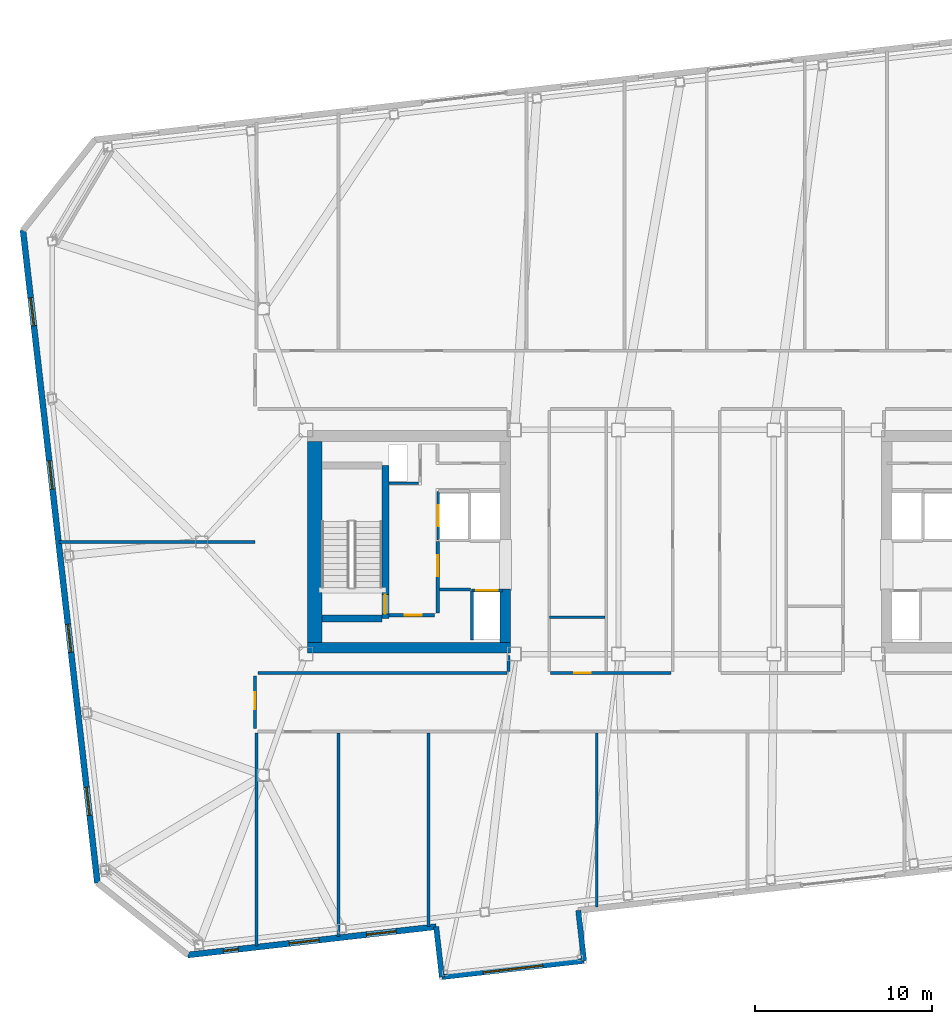
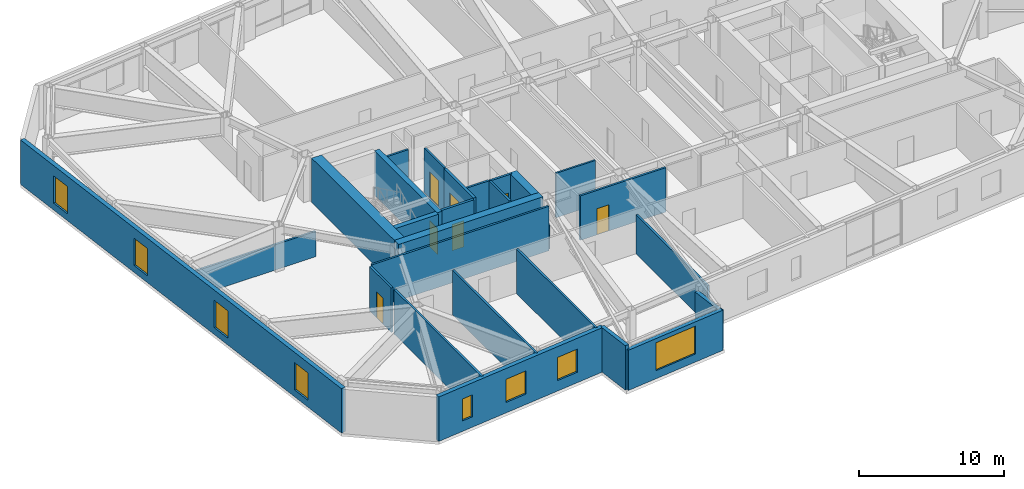
# One storey, part 11 of 18: 27 walls, 8 windows, 7 doors, 15 openings.
"""IFC4 building model written with IfcOpenShell, lengths in metres."""

from ifc_helpers import new_model, si_unit, direction, frame, frame_2d, origin, place, context, subcontext, project, spatial, rectangle, extrude, material, layer, layer_set, type_object, element, fill, save


model = new_model("IFC4")

# Units and contexts
model_context = context("Model", 3, precision=1e-05, world=origin(), true_north=direction((0.0, 1.0)))
body_context = subcontext(model_context, "Body", "Model", "MODEL_VIEW")
ifc_project = project(units=[si_unit("LENGTHUNIT", "METRE"), si_unit("AREAUNIT", "SQUARE_METRE"), si_unit("VOLUMEUNIT", "CUBIC_METRE"), si_unit("PLANEANGLEUNIT", "RADIAN"), si_unit("MASSUNIT", "GRAM", prefix="KILO")], contexts=[model_context])

# Site, building, storey
site_placement = place(None, origin())
site = spatial("IfcSite", under=ifc_project, at=site_placement, CompositionType="ELEMENT")
building_placement = place(site_placement, origin())
building = spatial("IfcBuilding", under=site, at=building_placement, Name="Tavrogorsk Clinical Tower", CompositionType="ELEMENT")
storey_placement = place(building_placement, frame((0.0, 0.0, 226.199951171875)))
storey = spatial("IfcBuildingStorey", under=building, at=storey_placement, Name="L52", CompositionType="ELEMENT", Elevation=226.199951171875)

# Wall, opening, door
ifc_material_1 = material(Name="Concrete B60", Category="concrete")
ifc_layer_1 = layer(ifc_material_1, 0.199951171875)
ifc_layer_set_1 = layer_set([ifc_layer_1], Name="Concrete B60")
wall_type_1 = type_object("IfcWallType", Name="CoreFireWall_200", PredefinedType="SOLIDWALL", material=ifc_layer_set_1)
wall_1_placement = place(storey_placement, frame((-17.3798828125, -4.139892578125, 0.0), z_axis=(0.0, 0.0, 1.0), x_axis=(1.0, 0.0, 0.0)))
wall_1 = element("IfcWall", 1, at=wall_1_placement, inside=storey, type_object=wall_type_1, Name="L52 Core West South Core Room Fire Wall", PredefinedType="SOLIDWALL", context=body_context, shape_type="SweptSolid", body=[
    extrude(rectangle(XDim=2.554931640625, YDim=0.199951171875, at=frame_2d((1.27734375, 0.0))), origin(), (0.0, 0.0, 1.0), 3.739990234375),
])
opening_1_placement = place(wall_1_placement, frame((0.8798828125, 0.0, 0.0)))
opening_1 = element("IfcOpeningElement", 2, at=opening_1_placement, cuts=wall_1, Name="Opening ID-02", PredefinedType="OPENING", context=body_context, shape_type="SweptSolid", body=[
    extrude(rectangle(XDim=0.949951171875, YDim=2.199951171875, at=frame_2d((0.47509765625, 1.10009765625))), frame((0.0, 0.10986328125, 0.0), z_axis=(0.0, -1.0, 0.0), x_axis=(1.0, 0.0, 0.0)), (0.0, 0.0, 1.0), 0.219970703125),
])
ifc_material_2 = material(Name="Laminated timber leaf on aluminium frame", Category="wood")
door_type_1 = type_object("IfcDoorType", Name="InteriorDoor_ID02_950", OperationType="NOTDEFINED", PredefinedType="DOOR", material=ifc_material_2)
door_1_placement = place(opening_1_placement, origin())
door_1 = element("IfcDoor", 3, at=door_1_placement, inside=storey, type_object=door_type_1, Name="L52 Core West South Core Room Door", OperationType="SINGLE_SWING_RIGHT", OverallHeight=2.199951171875, OverallWidth=0.949951171875, PredefinedType="DOOR", context=body_context, shape_type="SweptSolid", body=[
    extrude(rectangle(XDim=0.949951171875, YDim=2.199951171875, at=frame_2d((0.47509765625, 1.10009765625))), frame((0.0, 0.02490234375, 0.0), z_axis=(0.0, -1.0, 0.0), x_axis=(1.0, 0.0, 0.0)), (0.0, 0.0, 1.0), 0.050048828125),
])
fill(opening_1, door_1)

wall_2_placement = place(storey_placement, frame((-14.639892578125, -4.034912109375, 0.0), z_axis=(0.0, 0.0, 1.0), x_axis=(0.0, 1.0, 0.0)))
wall_2 = element("IfcWall", 4, at=wall_2_placement, inside=storey, type_object=wall_type_1, Name="L52 Core West Firefighting Lobby Fire Wall", PredefinedType="SOLIDWALL", context=body_context, shape_type="SweptSolid", body=[
    extrude(rectangle(XDim=4.074951171875, YDim=0.199951171875, at=frame_2d((2.03759765625, 0.0))), origin(), (0.0, 0.0, 1.0), 3.739990234375),
])
opening_2_placement = place(wall_2_placement, frame((2.090087890625, 0.0, 0.0)))
opening_2 = element("IfcOpeningElement", 5, at=opening_2_placement, cuts=wall_2, Name="Opening FD-01", PredefinedType="OPENING", context=body_context, shape_type="SweptSolid", body=[
    extrude(rectangle(XDim=1.199951171875, YDim=2.199951171875, at=frame_2d((0.60009765625, 1.10009765625))), frame((0.0, 0.10986328125, 0.0), z_axis=(0.0, -1.0, 0.0), x_axis=(1.0, 0.0, 0.0)), (0.0, 0.0, 1.0), 0.219970703125),
])
ifc_material_3 = material(Name="Galvanised steel fire-rated door assembly", Category="steel")
door_type_2 = type_object("IfcDoorType", Name="FireDoor_FD01_1200", OperationType="NOTDEFINED", PredefinedType="DOOR", material=ifc_material_3)
door_2_placement = place(opening_2_placement, origin())
door_2 = element("IfcDoor", 6, at=door_2_placement, inside=storey, type_object=door_type_2, Name="L52 Core West Firefighting Lobby Entry Door", OperationType="SINGLE_SWING_RIGHT", OverallHeight=2.199951171875, OverallWidth=1.199951171875, PredefinedType="DOOR", context=body_context, shape_type="SweptSolid", body=[
    extrude(rectangle(XDim=1.199951171875, YDim=2.199951171875, at=frame_2d((0.60009765625, 1.10009765625))), frame((0.0, 0.02490234375, 0.0), z_axis=(0.0, -1.0, 0.0), x_axis=(1.0, 0.0, 0.0)), (0.0, 0.0, 1.0), 0.050048828125),
])
fill(opening_2, door_2)

# Walls
ifc_material_4 = material(Name="Lightweight concrete blockwork B15", Category="masonry")
ifc_layer_2 = layer(ifc_material_4, 0.139892578125)
ifc_layer_set_2 = layer_set([ifc_layer_2], Name="Lightweight concrete blockwork B15")
wall_type_2 = type_object("IfcWallType", Name="PartitionWall_140", PredefinedType="PARTITIONING", material=ifc_layer_set_2)
wall_3_placement = place(storey_placement, frame((-8.31494140625, -4.25, 0.0), z_axis=(0.0, 0.0, 1.0), x_axis=(1.0, 0.0, 0.0)))
element("IfcWall", 7, at=wall_3_placement, inside=storey, type_object=wall_type_2, Name="L52 Central Spine Partition 3", PredefinedType="PARTITIONING", context=body_context, shape_type="SweptSolid", body=[
    extrude(rectangle(XDim=3.139892578125, YDim=0.139892578125, at=frame_2d((1.56982421875, 0.0))), origin(), (0.0, 0.0, 1.0), 3.739990234375),
])
ifc_material_5 = material(Name="Lightweight concrete blockwork B15", Category="masonry")
ifc_layer_3 = layer(ifc_material_5, 0.159912109375)
ifc_layer_set_3 = layer_set([ifc_layer_3], Name="Lightweight concrete blockwork B15")
wall_type_3 = type_object("IfcWallType", Name="PartitionWall_160", PredefinedType="PARTITIONING", material=ifc_layer_set_3)
wall_4_placement = place(storey_placement, frame((-14.534912109375, -2.699951171875, 0.0), z_axis=(0.0, 0.0, 1.0), x_axis=(1.0, 0.0, 0.0)))
element("IfcWall", 8, at=wall_4_placement, inside=storey, type_object=wall_type_3, Name="L52 Core West Freed Low-Bank North Partition", PredefinedType="PARTITIONING", context=body_context, shape_type="SweptSolid", body=[
    extrude(rectangle(XDim=1.760009765625, YDim=0.159912109375, at=frame_2d((0.8798828125, 0.0))), origin(), (0.0, 0.0, 1.0), 3.739990234375),
])

# Wall, opening, door
wall_5_placement = place(storey_placement, frame((-24.97998046875, -10.56494140625, 0.0), z_axis=(0.0, 0.0, 1.0), x_axis=(0.0, 1.0, 0.0)))
wall_5 = element("IfcWall", 9, at=wall_5_placement, inside=storey, type_object=wall_type_3, Name="L52 Corridor Partition 01", PredefinedType="PARTITIONING", context=body_context, shape_type="SweptSolid", body=[
    extrude(rectangle(XDim=2.97998046875, YDim=0.159912109375, at=frame_2d((1.489990234375, 0.0))), origin(), (0.0, 0.0, 1.0), 3.739990234375),
])
opening_3_placement = place(wall_5_placement, frame((1.10009765625, 0.0, 0.0)))
opening_3 = element("IfcOpeningElement", 10, at=opening_3_placement, cuts=wall_5, Name="Opening ID-02", PredefinedType="OPENING", context=body_context, shape_type="SweptSolid", body=[
    extrude(rectangle(XDim=0.949951171875, YDim=2.199951171875, at=frame_2d((0.47509765625, 1.10009765625))), frame((0.0, 0.08984375, 0.0), z_axis=(0.0, -1.0, 0.0), x_axis=(1.0, 0.0, 0.0)), (0.0, 0.0, 1.0), 0.179931640625),
])
door_3_placement = place(opening_3_placement, origin())
door_3 = element("IfcDoor", 11, at=door_3_placement, inside=storey, type_object=door_type_1, Name="L52 W Solarium Day Room & Lounge 1 Door", OperationType="SINGLE_SWING_LEFT", OverallHeight=2.199951171875, OverallWidth=0.949951171875, PredefinedType="DOOR", context=body_context, shape_type="SweptSolid", body=[
    extrude(rectangle(XDim=0.949951171875, YDim=2.199951171875, at=frame_2d((0.47509765625, 1.10009765625))), frame((0.0, 0.02490234375, 0.0), z_axis=(0.0, -1.0, 0.0), x_axis=(1.0, 0.0, 0.0)), (0.0, 0.0, 1.0), 0.050048828125),
])
fill(opening_3, door_3)

# Walls
wall_6_placement = place(storey_placement, frame((-24.81494140625, -7.419921875, 0.0), z_axis=(0.0, 0.0, 1.0), x_axis=(1.0, 0.0, 0.0)))
element("IfcWall", 12, at=wall_6_placement, inside=storey, type_object=wall_type_3, Name="L52 Corridor Partition 02", PredefinedType="PARTITIONING", context=body_context, shape_type="SweptSolid", body=[
    extrude(rectangle(XDim=14.099853515625, YDim=0.159912109375, at=frame_2d((7.0498046875, 0.0))), origin(), (0.0, 0.0, 1.0), 3.739990234375),
])
wall_7_placement = place(storey_placement, frame((-10.6298828125, -7.3349609375, 0.0), z_axis=(0.0, 0.0, 1.0), x_axis=(0.0, 1.0, 0.0)))
element("IfcWall", 13, at=wall_7_placement, inside=storey, type_object=wall_type_3, Name="L52 Corridor Partition 03", PredefinedType="PARTITIONING", context=body_context, shape_type="SweptSolid", body=[
    extrude(rectangle(XDim=0.9150390625, YDim=0.159912109375, at=frame_2d((0.45751953125, 0.0))), origin(), (0.0, 0.0, 1.0), 2.135009765625),
])

# Wall, opening, door
wall_8_placement = place(storey_placement, frame((-8.235107421875, -7.419921875, 0.0), z_axis=(0.0, 0.0, 1.0), x_axis=(1.0, 0.0, 0.0)))
wall_8 = element("IfcWall", 14, at=wall_8_placement, inside=storey, type_object=wall_type_3, Name="L52 Corridor Partition 22", PredefinedType="PARTITIONING", context=body_context, shape_type="SweptSolid", body=[
    extrude(rectangle(XDim=6.820068359375, YDim=0.159912109375, at=frame_2d((3.41015625, 0.0))), origin(), (0.0, 0.0, 1.0), 3.739990234375),
])
opening_4_placement = place(wall_8_placement, frame((1.3291015625, 0.0, 0.0)))
opening_4 = element("IfcOpeningElement", 15, at=opening_4_placement, cuts=wall_8, Name="Opening ID-02", PredefinedType="OPENING", context=body_context, shape_type="SweptSolid", body=[
    extrude(rectangle(XDim=0.949951171875, YDim=2.199951171875, at=frame_2d((0.47509765625, 1.10009765625))), frame((0.0, 0.08984375, 0.0), z_axis=(0.0, -1.0, 0.0), x_axis=(1.0, 0.0, 0.0)), (0.0, 0.0, 1.0), 0.179931640625),
])
door_4_placement = place(opening_4_placement, origin())
door_4 = element("IfcDoor", 16, at=door_4_placement, inside=storey, type_object=door_type_1, Name="L52 Accessible Patient Lavatory Door", OperationType="SINGLE_SWING_LEFT", OverallHeight=2.199951171875, OverallWidth=0.949951171875, PredefinedType="DOOR", context=body_context, shape_type="SweptSolid", body=[
    extrude(rectangle(XDim=0.949951171875, YDim=2.199951171875, at=frame_2d((0.47509765625, 1.10009765625))), frame((0.0, 0.02490234375, 0.0), z_axis=(0.0, -1.0, 0.0), x_axis=(1.0, 0.0, 0.0)), (0.0, 0.0, 1.0), 0.050048828125),
])
fill(opening_4, door_4)

# Walls
wall_9_placement = place(storey_placement, frame((-24.89990234375, -22.873291015625, 0.0), z_axis=(0.0, 0.0, 1.0), x_axis=(0.0, 1.0, 0.0)))
element("IfcWall", 17, at=wall_9_placement, inside=storey, type_object=wall_type_3, Name="L52 SW Wing Closure Partition", PredefinedType="PARTITIONING", context=body_context, shape_type="SweptSolid", body=[
    extrude(rectangle(XDim=12.058349609375, YDim=0.159912109375, at=frame_2d((6.029296875, 0.0))), origin(), (0.0, 0.0, 1.0), 3.739990234375),
])
wall_10_placement = place(storey_placement, frame((-20.25, -22.343505859375, 0.0), z_axis=(0.0, 0.0, 1.0), x_axis=(0.0, 1.0, 0.0)))
element("IfcWall", 18, at=wall_10_placement, inside=storey, type_object=wall_type_3, Name="L52 South Room Partition 1", PredefinedType="PARTITIONING", context=body_context, shape_type="SweptSolid", body=[
    extrude(rectangle(XDim=11.528564453125, YDim=0.159912109375, at=frame_2d((5.76416015625, 0.0))), origin(), (0.0, 0.0, 1.0), 3.739990234375),
])
wall_11_placement = place(storey_placement, frame((-15.159912109375, -21.763671875, 0.0), z_axis=(0.0, 0.0, 1.0), x_axis=(0.0, 1.0, 0.0)))
element("IfcWall", 19, at=wall_11_placement, inside=storey, type_object=wall_type_3, Name="L52 South Room Partition 2", PredefinedType="PARTITIONING", context=body_context, shape_type="SweptSolid", body=[
    extrude(rectangle(XDim=10.94873046875, YDim=0.159912109375, at=frame_2d((5.474365234375, 0.0))), origin(), (0.0, 0.0, 1.0), 3.739990234375),
])
wall_12_placement = place(storey_placement, frame((-5.6298828125, -20.677978515625, 0.0), z_axis=(0.0, 0.0, 1.0), x_axis=(0.0, 1.0, 0.0)))
element("IfcWall", 20, at=wall_12_placement, inside=storey, type_object=wall_type_3, Name="L52 South Room Partition 3", PredefinedType="PARTITIONING", context=body_context, shape_type="SweptSolid", body=[
    extrude(rectangle(XDim=9.863037109375, YDim=0.159912109375, at=frame_2d((4.931640625, 0.0))), origin(), (0.0, 0.0, 1.0), 3.28515625),
])
wall_13_placement = place(storey_placement, frame((-36.0869140625, 0.0, 0.0), z_axis=(0.0, 0.0, 1.0), x_axis=(1.0, 0.0, 0.0)))
element("IfcWall", 21, at=wall_13_placement, inside=storey, type_object=wall_type_3, Name="L52 W Wing Divider 1", PredefinedType="PARTITIONING", context=body_context, shape_type="SweptSolid", body=[
    extrude(rectangle(XDim=11.10693359375, YDim=0.159912109375, at=frame_2d((5.553466796875, 0.0))), origin(), (0.0, 0.0, 1.0), 2.135009765625),
])

# Wall, openings, windows
ifc_material_6 = material(Name="Precast concrete B45 with limestone cladding", Category="masonry")
ifc_layer_4 = layer(ifc_material_6, 0.340087890625)
ifc_layer_set_4 = layer_set([ifc_layer_4], Name="Precast concrete B45 with limestone cladding")
wall_type_4 = type_object("IfcWallType", Name="PrecastLimestoneWall_340", PredefinedType="STANDARD", material=ifc_layer_set_4)
wall_14_placement = place(storey_placement, frame((-28.78271484375, -23.38623046875, 0.0), z_axis=(0.0, 0.0, 1.0), x_axis=(0.993572262951, 0.113199639106, 0.0)))
wall_14 = element("IfcWall", 22, at=wall_14_placement, inside=storey, type_object=wall_type_4, Name="L52 S Limestone Facade Wall 1", PredefinedType="STANDARD", context=body_context, shape_type="SweptSolid", body=[
    extrude(rectangle(XDim=14.150390625, YDim=0.340087890625, at=frame_2d((7.0751953125, 0.0))), origin(), (0.0, 0.0, 1.0), 3.739990234375),
])
opening_5_placement = place(wall_14_placement, frame((2.030029296875, 0.0, 0.8798828125)))
opening_5 = element("IfcOpeningElement", 23, at=opening_5_placement, cuts=wall_14, Name="Opening WN-06", PredefinedType="OPENING", context=body_context, shape_type="SweptSolid", body=[
    extrude(rectangle(XDim=0.85009765625, YDim=1.85009765625, at=frame_2d((0.425048828125, 0.925048828125))), frame((0.0, 0.179931640625, 0.0), z_axis=(0.0, -1.0, 0.0), x_axis=(1.0, 0.0, 0.0)), (0.0, 0.0, 1.0), 0.360107421875),
])
opening_6_placement = place(wall_14_placement, frame((5.778564453125, 0.0, 0.8798828125)))
opening_6 = element("IfcOpeningElement", 24, at=opening_6_placement, cuts=wall_14, Name="Opening WN-15", PredefinedType="OPENING", context=body_context, shape_type="SweptSolid", body=[
    extrude(rectangle(XDim=1.699951171875, YDim=1.949951171875, at=frame_2d((0.85009765625, 0.97509765625))), frame((0.0, 0.179931640625, 0.0), z_axis=(0.0, -1.0, 0.0), x_axis=(1.0, 0.0, 0.0)), (0.0, 0.0, 1.0), 0.360107421875),
])
opening_7_placement = place(wall_14_placement, frame((10.1787109375, 0.0, 0.8798828125)))
opening_7 = element("IfcOpeningElement", 25, at=opening_7_placement, cuts=wall_14, Name="Opening WN-15", PredefinedType="OPENING", context=body_context, shape_type="SweptSolid", body=[
    extrude(rectangle(XDim=1.699951171875, YDim=1.949951171875, at=frame_2d((0.85009765625, 0.97509765625))), frame((0.0, 0.179931640625, 0.0), z_axis=(0.0, -1.0, 0.0), x_axis=(1.0, 0.0, 0.0)), (0.0, 0.0, 1.0), 0.360107421875),
])
ifc_material_7 = material(Name="Thermally broken aluminium frame and triple IGU", Category="aluminium")
window_type_1 = type_object("IfcWindowType", Name="MullionSubWin_850x1850", PartitioningType="SINGLE_PANEL", PredefinedType="WINDOW", material=ifc_material_7)
window_1_placement = place(opening_5_placement, origin())
window_1 = element("IfcWindow", 26, at=window_1_placement, inside=storey, type_object=window_type_1, Name="L52 S Mullion Split Window 01A", OverallHeight=1.85009765625, OverallWidth=0.85009765625, PartitioningType="SINGLE_PANEL", PredefinedType="WINDOW", context=body_context, shape_type="SweptSolid", body=[
    extrude(rectangle(XDim=0.85009765625, YDim=1.85009765625, at=frame_2d((0.425048828125, 0.925048828125))), frame((0.0, 0.030029296875, 0.0), z_axis=(0.0, -1.0, 0.0), x_axis=(1.0, 0.0, 0.0)), (0.0, 0.0, 1.0), 0.06005859375),
])
fill(opening_5, window_1)
ifc_material_8 = material(Name="Thermally broken aluminium frame and triple IGU", Category="aluminium")
window_type_2 = type_object("IfcWindowType", Name="OfficeChicagoWin_1700x1950", PartitioningType="SINGLE_PANEL", PredefinedType="WINDOW", material=ifc_material_8)
window_2_placement = place(opening_6_placement, origin())
window_2 = element("IfcWindow", 27, at=window_2_placement, inside=storey, type_object=window_type_2, Name="L52 S Chicago Window 02", OverallHeight=1.949951171875, OverallWidth=1.699951171875, PartitioningType="SINGLE_PANEL", PredefinedType="WINDOW", context=body_context, shape_type="SweptSolid", body=[
    extrude(rectangle(XDim=1.699951171875, YDim=1.949951171875, at=frame_2d((0.85009765625, 0.97509765625))), frame((0.0, 0.030029296875, 0.0), z_axis=(0.0, -1.0, 0.0), x_axis=(1.0, 0.0, 0.0)), (0.0, 0.0, 1.0), 0.06005859375),
])
fill(opening_6, window_2)
window_3_placement = place(opening_7_placement, origin())
window_3 = element("IfcWindow", 28, at=window_3_placement, inside=storey, type_object=window_type_2, Name="L52 S Chicago Window 03", OverallHeight=1.949951171875, OverallWidth=1.699951171875, PartitioningType="SINGLE_PANEL", PredefinedType="WINDOW", context=body_context, shape_type="SweptSolid", body=[
    extrude(rectangle(XDim=1.699951171875, YDim=1.949951171875, at=frame_2d((0.85009765625, 0.97509765625))), frame((0.0, 0.030029296875, 0.0), z_axis=(0.0, -1.0, 0.0), x_axis=(1.0, 0.0, 0.0)), (0.0, 0.0, 1.0), 0.06005859375),
])
fill(opening_7, window_3)

wall_15_placement = place(storey_placement, frame((-38.1181640625, 17.65087890625, 0.0), z_axis=(0.0, 0.0, 1.0), x_axis=(0.11320360501, -0.9935718111, 0.0)))
wall_15 = element("IfcWall", 29, at=wall_15_placement, inside=storey, type_object=wall_type_4, Name="L52 W Pleated Limestone Wing Wall", PredefinedType="STANDARD", context=body_context, shape_type="SweptSolid", body=[
    extrude(rectangle(XDim=37.199951171875, YDim=0.340087890625, at=frame_2d((18.60009765625, 0.0))), origin(), (0.0, 0.0, 1.0), 3.739990234375),
])
opening_8_placement = place(wall_15_placement, frame((3.85009765625, 0.0, 0.580078125)))
opening_8 = element("IfcOpeningElement", 30, at=opening_8_placement, cuts=wall_15, Name="Opening WN-07", PredefinedType="OPENING", context=body_context, shape_type="SweptSolid", body=[
    extrude(rectangle(XDim=1.60009765625, YDim=2.300048828125, at=frame_2d((0.800048828125, 1.14990234375))), frame((0.0, 0.179931640625, 0.0), z_axis=(0.0, -1.0, 0.0), x_axis=(1.0, 0.0, 0.0)), (0.0, 0.0, 1.0), 0.360107421875),
])
opening_9_placement = place(wall_15_placement, frame((13.14990234375, 0.0, 0.580078125)))
opening_9 = element("IfcOpeningElement", 31, at=opening_9_placement, cuts=wall_15, Name="Opening WN-07", PredefinedType="OPENING", context=body_context, shape_type="SweptSolid", body=[
    extrude(rectangle(XDim=1.60009765625, YDim=2.300048828125, at=frame_2d((0.800048828125, 1.14990234375))), frame((0.0, 0.179931640625, 0.0), z_axis=(0.0, -1.0, 0.0), x_axis=(1.0, 0.0, 0.0)), (0.0, 0.0, 1.0), 0.360107421875),
])
opening_10_placement = place(wall_15_placement, frame((22.449951171875, 0.0, 0.580078125)))
opening_10 = element("IfcOpeningElement", 32, at=opening_10_placement, cuts=wall_15, Name="Opening WN-07", PredefinedType="OPENING", context=body_context, shape_type="SweptSolid", body=[
    extrude(rectangle(XDim=1.60009765625, YDim=2.300048828125, at=frame_2d((0.800048828125, 1.14990234375))), frame((0.0, 0.179931640625, 0.0), z_axis=(0.0, -1.0, 0.0), x_axis=(1.0, 0.0, 0.0)), (0.0, 0.0, 1.0), 0.360107421875),
])
opening_11_placement = place(wall_15_placement, frame((31.75, 0.0, 0.580078125)))
opening_11 = element("IfcOpeningElement", 33, at=opening_11_placement, cuts=wall_15, Name="Opening WN-07", PredefinedType="OPENING", context=body_context, shape_type="SweptSolid", body=[
    extrude(rectangle(XDim=1.60009765625, YDim=2.300048828125, at=frame_2d((0.800048828125, 1.14990234375))), frame((0.0, 0.179931640625, 0.0), z_axis=(0.0, -1.0, 0.0), x_axis=(1.0, 0.0, 0.0)), (0.0, 0.0, 1.0), 0.360107421875),
])
ifc_material_9 = material(Name="Thermally broken aluminium frame and triple IGU", Category="aluminium")
window_type_3 = type_object("IfcWindowType", Name="PleatSlotWin_1600x2300", PartitioningType="SINGLE_PANEL", PredefinedType="WINDOW", material=ifc_material_9)
window_4_placement = place(opening_8_placement, origin())
window_4 = element("IfcWindow", 34, at=window_4_placement, inside=storey, type_object=window_type_3, Name="L52 W Pleat Slot Window 1", OverallHeight=2.300048828125, OverallWidth=1.60009765625, PartitioningType="SINGLE_PANEL", PredefinedType="WINDOW", context=body_context, shape_type="SweptSolid", body=[
    extrude(rectangle(XDim=1.60009765625, YDim=2.300048828125, at=frame_2d((0.800048828125, 1.14990234375))), frame((0.0, 0.030029296875, 0.0), z_axis=(0.0, -1.0, 0.0), x_axis=(1.0, 0.0, 0.0)), (0.0, 0.0, 1.0), 0.06005859375),
])
fill(opening_8, window_4)
window_5_placement = place(opening_9_placement, origin())
window_5 = element("IfcWindow", 35, at=window_5_placement, inside=storey, type_object=window_type_3, Name="L52 W Pleat Slot Window 2", OverallHeight=2.300048828125, OverallWidth=1.60009765625, PartitioningType="SINGLE_PANEL", PredefinedType="WINDOW", context=body_context, shape_type="SweptSolid", body=[
    extrude(rectangle(XDim=1.60009765625, YDim=2.300048828125, at=frame_2d((0.800048828125, 1.14990234375))), frame((0.0, 0.030029296875, 0.0), z_axis=(0.0, -1.0, 0.0), x_axis=(1.0, 0.0, 0.0)), (0.0, 0.0, 1.0), 0.06005859375),
])
fill(opening_9, window_5)
window_6_placement = place(opening_10_placement, origin())
window_6 = element("IfcWindow", 36, at=window_6_placement, inside=storey, type_object=window_type_3, Name="L52 W Pleat Slot Window 3", OverallHeight=2.300048828125, OverallWidth=1.60009765625, PartitioningType="SINGLE_PANEL", PredefinedType="WINDOW", context=body_context, shape_type="SweptSolid", body=[
    extrude(rectangle(XDim=1.60009765625, YDim=2.300048828125, at=frame_2d((0.800048828125, 1.14990234375))), frame((0.0, 0.030029296875, 0.0), z_axis=(0.0, -1.0, 0.0), x_axis=(1.0, 0.0, 0.0)), (0.0, 0.0, 1.0), 0.06005859375),
])
fill(opening_10, window_6)
window_7_placement = place(opening_11_placement, origin())
window_7 = element("IfcWindow", 37, at=window_7_placement, inside=storey, type_object=window_type_3, Name="L52 W Pleat Slot Window 4", OverallHeight=2.300048828125, OverallWidth=1.60009765625, PartitioningType="SINGLE_PANEL", PredefinedType="WINDOW", context=body_context, shape_type="SweptSolid", body=[
    extrude(rectangle(XDim=1.60009765625, YDim=2.300048828125, at=frame_2d((0.800048828125, 1.14990234375))), frame((0.0, 0.030029296875, 0.0), z_axis=(0.0, -1.0, 0.0), x_axis=(1.0, 0.0, 0.0)), (0.0, 0.0, 1.0), 0.06005859375),
])
fill(opening_11, window_7)

# Wall, opening, window
wall_16_placement = place(storey_placement, frame((-14.398681640625, -24.635986328125, 0.0), z_axis=(0.0, 0.0, 1.0), x_axis=(0.993571087422, 0.113209956448, 0.0)))
wall_16 = element("IfcWall", 38, at=wall_16_placement, inside=storey, type_object=wall_type_4, Name="L52 Day-Room Limestone Front DRB-07", PredefinedType="STANDARD", context=body_context, shape_type="SweptSolid", body=[
    extrude(rectangle(XDim=8.099853515625, YDim=0.300048828125, at=frame_2d((4.0498046875, 0.0))), origin(), (0.0, 0.0, 1.0), 3.385009765625),
])
opening_12_placement = place(wall_16_placement, frame((2.35009765625, 0.0, 0.679931640625)))
opening_12 = element("IfcOpeningElement", 39, at=opening_12_placement, cuts=wall_16, Name="Opening WN-16", PredefinedType="OPENING", context=body_context, shape_type="SweptSolid", body=[
    extrude(rectangle(XDim=3.39990234375, YDim=2.35009765625, at=frame_2d((1.699951171875, 1.175048828125))), frame((0.0, 0.159912109375, 0.0), z_axis=(0.0, -1.0, 0.0), x_axis=(1.0, 0.0, 0.0)), (0.0, 0.0, 1.0), 0.320068359375),
])
ifc_material_10 = material(Name="Thermally broken aluminium frame and triple IGU", Category="aluminium")
window_type_4 = type_object("IfcWindowType", Name="QuietLoungeWin_3400x2350", PartitioningType="TRIPLE_PANEL_HORIZONTAL", PredefinedType="WINDOW", material=ifc_material_10)
window_8_placement = place(opening_12_placement, origin())
window_8 = element("IfcWindow", 40, at=window_8_placement, inside=storey, type_object=window_type_4, Name="L52 Day-Room Front Bay Window DRB-07", OverallHeight=2.35009765625, OverallWidth=3.39990234375, PartitioningType="SINGLE_PANEL", PredefinedType="WINDOW", context=body_context, shape_type="SweptSolid", body=[
    extrude(rectangle(XDim=3.39990234375, YDim=2.35009765625, at=frame_2d((1.699951171875, 1.175048828125))), frame((0.0, 0.030029296875, 0.0), z_axis=(0.0, -1.0, 0.0), x_axis=(1.0, 0.0, 0.0)), (0.0, 0.0, 1.0), 0.06005859375),
])
fill(opening_12, window_8)

# Wall, opening, door
ifc_material_11 = material(Name="Lightweight concrete blockwork B25", Category="masonry")
ifc_layer_5 = layer(ifc_material_11, 0.159912109375)
ifc_layer_set_5 = layer_set([ifc_layer_5], Name="Lightweight concrete blockwork B25")
wall_type_5 = type_object("IfcWallType", Name="ShaftWall_160", PredefinedType="PARTITIONING", material=ifc_layer_set_5)
wall_17_placement = place(storey_placement, frame((-14.60009765625, 0.1201171875, 0.0), z_axis=(0.0, 0.0, 1.0), x_axis=(0.0, 1.0, 0.0)))
wall_17 = element("IfcWall", 41, at=wall_17_placement, inside=storey, type_object=wall_type_5, Name="L52 FFL-W Firefighting Lift Front Wall", PredefinedType="PARTITIONING", context=body_context, shape_type="SweptSolid", body=[
    extrude(rectangle(XDim=2.739990234375, YDim=0.159912109375, at=frame_2d((1.3701171875, 0.0))), origin(), (0.0, 0.0, 1.0), 3.739990234375),
])
opening_13_placement = place(wall_17_placement, frame((0.77001953125, 0.0, 0.0)))
opening_13 = element("IfcOpeningElement", 42, at=opening_13_placement, cuts=wall_17, Name="Opening LD", PredefinedType="OPENING", context=body_context, shape_type="SweptSolid", body=[
    extrude(rectangle(XDim=1.199951171875, YDim=2.199951171875, at=frame_2d((0.60009765625, 1.10009765625))), frame((0.0, 0.08984375, 0.0), z_axis=(0.0, -1.0, 0.0), x_axis=(1.0, 0.0, 0.0)), (0.0, 0.0, 1.0), 0.179931640625),
])
ifc_material_12 = material(Name="Brushed stainless steel AISI 304 sliding doors", Category="steel")
door_type_3 = type_object("IfcDoorType", Name="LiftLandingDoor_LD_1200", OperationType="SLIDING_TO_LEFT", PredefinedType="DOOR", material=ifc_material_12)
door_5_placement = place(opening_13_placement, origin())
door_5 = element("IfcDoor", 43, at=door_5_placement, inside=storey, type_object=door_type_3, Name="L52 FFL-W Sliding Lift Landing Door", OperationType="SLIDING_TO_LEFT", OverallHeight=2.199951171875, OverallWidth=1.199951171875, PredefinedType="DOOR", context=body_context, shape_type="SweptSolid", body=[
    extrude(rectangle(XDim=1.199951171875, YDim=2.199951171875, at=frame_2d((0.60009765625, 1.10009765625))), frame((0.0, 0.02490234375, 0.0), z_axis=(0.0, -1.0, 0.0), x_axis=(1.0, 0.0, 0.0)), (0.0, 0.0, 1.0), 0.050048828125),
])
fill(opening_13, door_5)

wall_18_placement = place(storey_placement, frame((-12.72998046875, -2.75, 0.0), z_axis=(0.0, 0.0, 1.0), x_axis=(1.0, 0.0, 0.0)))
wall_18 = element("IfcWall", 44, at=wall_18_placement, inside=storey, type_object=wall_type_5, Name="L52 LP-M1 Lift Shaft Portal Wall", PredefinedType="PARTITIONING", context=body_context, shape_type="SweptSolid", body=[
    extrude(rectangle(XDim=1.760009765625, YDim=0.159912109375, at=frame_2d((0.8798828125, 0.0))), origin(), (0.0, 0.0, 1.0), 3.739990234375),
])
opening_14_placement = place(wall_18_placement, frame((0.280029296875, 0.0, 0.0)))
opening_14 = element("IfcOpeningElement", 45, at=opening_14_placement, cuts=wall_18, Name="Opening LD", PredefinedType="OPENING", context=body_context, shape_type="SweptSolid", body=[
    extrude(rectangle(XDim=1.199951171875, YDim=2.199951171875, at=frame_2d((0.60009765625, 1.10009765625))), frame((0.0, 0.08984375, 0.0), z_axis=(0.0, -1.0, 0.0), x_axis=(1.0, 0.0, 0.0)), (0.0, 0.0, 1.0), 0.179931640625),
])
door_6_placement = place(opening_14_placement, origin())
door_6 = element("IfcDoor", 46, at=door_6_placement, inside=storey, type_object=door_type_3, Name="L52 LP-M1 Sliding Lift Landing Door", OperationType="SLIDING_TO_LEFT", OverallHeight=2.199951171875, OverallWidth=1.199951171875, PredefinedType="DOOR", context=body_context, shape_type="SweptSolid", body=[
    extrude(rectangle(XDim=1.199951171875, YDim=2.199951171875, at=frame_2d((0.60009765625, 1.10009765625))), frame((0.0, 0.02490234375, 0.0), z_axis=(0.0, -1.0, 0.0), x_axis=(1.0, 0.0, 0.0)), (0.0, 0.0, 1.0), 0.050048828125),
])
fill(opening_14, door_6)

# Walls
wall_19_placement = place(storey_placement, frame((-17.3798828125, 3.320068359375, 0.0), z_axis=(0.0, 0.0, 1.0), x_axis=(1.0, 0.0, 0.0)))
element("IfcWall", 47, at=wall_19_placement, inside=storey, type_object=wall_type_5, Name="L52 Core West Riser South Wall", PredefinedType="PARTITIONING", context=body_context, shape_type="SweptSolid", body=[
    extrude(rectangle(XDim=1.65478515625, YDim=0.159912109375, at=frame_2d((0.827392578125, 0.0))), origin(), (0.0, 0.0, 1.0), 3.739990234375),
])
wall_20_placement = place(storey_placement, frame((-12.68994140625, -5.56005859375, 0.0), z_axis=(0.0, 0.0, 1.0), x_axis=(0.0, 1.0, 0.0)))
element("IfcWall", 48, at=wall_20_placement, inside=storey, type_object=wall_type_5, Name="L52 Core West Freed Low-Bank Shaft Divider", PredefinedType="PARTITIONING", context=body_context, shape_type="SweptSolid", body=[
    extrude(rectangle(XDim=2.775146484375, YDim=0.159912109375, at=frame_2d((1.3876953125, 0.0))), origin(), (0.0, 0.0, 1.0), 3.739990234375),
])

# Wall, opening, door
ifc_material_13 = material(Name="Concrete B80", Category="concrete")
ifc_layer_6 = layer(ifc_material_13, 0.39990234375)
ifc_layer_set_6 = layer_set([ifc_layer_6], Name="Concrete B80")
wall_type_6 = type_object("IfcWallType", Name="ShearWall_400", PredefinedType="SHEAR", material=ifc_layer_set_6)
wall_21_placement = place(storey_placement, frame((-17.60009765625, -4.324951171875, 0.0), z_axis=(0.0, 0.0, 1.0), x_axis=(0.0, 1.0, 0.0)))
wall_21 = element("IfcWall", 49, at=wall_21_placement, inside=storey, type_object=wall_type_6, Name="L52 Core West Stair Shaft Inner Shear Wall", PredefinedType="SHEAR", context=body_context, shape_type="SweptSolid", body=[
    extrude(rectangle(XDim=8.64990234375, YDim=0.39990234375, at=frame_2d((4.324951171875, 0.0))), origin(), (0.0, 0.0, 1.0), 3.739990234375),
])
opening_15_placement = place(wall_21_placement, frame((0.25, 0.0, 0.0)))
opening_15 = element("IfcOpeningElement", 50, at=opening_15_placement, cuts=wall_21, Name="Opening SD-01", PredefinedType="OPENING", context=body_context, shape_type="SweptSolid", body=[
    extrude(rectangle(XDim=1.10009765625, YDim=2.199951171875, at=frame_2d((0.550048828125, 1.10009765625))), frame((0.0, 0.2099609375, 0.0), z_axis=(0.0, -1.0, 0.0), x_axis=(1.0, 0.0, 0.0)), (0.0, 0.0, 1.0), 0.419921875),
])
ifc_material_14 = material(Name="Galvanised steel smoke-tight fire door assembly", Category="steel")
door_type_4 = type_object("IfcDoorType", Name="StairFireDoor_SD01_1100", OperationType="NOTDEFINED", PredefinedType="DOOR", material=ifc_material_14)
door_7_placement = place(opening_15_placement, origin())
door_7 = element("IfcDoor", 51, at=door_7_placement, inside=storey, type_object=door_type_4, Name="L52 ST-W Exit Stair Door", OperationType="SINGLE_SWING_LEFT", OverallHeight=2.199951171875, OverallWidth=1.10009765625, PredefinedType="DOOR", context=body_context, shape_type="SweptSolid", body=[
    extrude(rectangle(XDim=1.10009765625, YDim=2.199951171875, at=frame_2d((0.550048828125, 1.10009765625))), frame((0.0, 0.02490234375, 0.0), z_axis=(0.0, -1.0, 0.0), x_axis=(1.0, 0.0, 0.0)), (0.0, 0.0, 1.0), 0.050048828125),
])
fill(opening_15, door_7)

# Walls
wall_22_placement = place(storey_placement, frame((-21.199951171875, -4.324951171875, 0.0), z_axis=(0.0, 0.0, 1.0), x_axis=(1.0, 0.0, 0.0)))
element("IfcWall", 52, at=wall_22_placement, inside=storey, type_object=wall_type_6, Name="L52 Core West Stair Shaft South Shear Wall", PredefinedType="SHEAR", context=body_context, shape_type="SweptSolid", body=[
    extrude(rectangle(XDim=3.39990234375, YDim=0.39990234375, at=frame_2d((1.699951171875, 0.0))), origin(), (0.0, 0.0, 1.0), 3.739990234375),
])
ifc_material_15 = material(Name="Concrete B80", Category="concrete")
ifc_layer_7 = layer(ifc_material_15, 0.60009765625)
ifc_layer_set_7 = layer_set([ifc_layer_7], Name="Concrete B80")
wall_type_7 = type_object("IfcWallType", Name="ShearWall_600", PredefinedType="SHEAR", material=ifc_layer_set_7)
wall_23_placement = place(storey_placement, frame((-22.0, -6.0, 0.0), z_axis=(0.0, 0.0, 1.0), x_axis=(1.0, 0.0, 0.0)))
element("IfcWall", 53, at=wall_23_placement, inside=storey, type_object=wall_type_7, Name="L52 Core West South Shear Wall", PredefinedType="SHEAR", context=body_context, shape_type="SweptSolid", body=[
    extrude(rectangle(XDim=11.5, YDim=0.60009765625, at=frame_2d((5.75, 0.0))), origin(), (0.0, 0.0, 1.0), 3.739990234375),
])
wall_24_placement = place(storey_placement, frame((-10.800048828125, -5.699951171875, 0.0), z_axis=(0.0, 0.0, 1.0), x_axis=(0.0, 1.0, 0.0)))
element("IfcWall", 54, at=wall_24_placement, inside=storey, type_object=wall_type_7, Name="L52 Core West Inner South Pier", PredefinedType="SHEAR", context=body_context, shape_type="SweptSolid", body=[
    extrude(rectangle(XDim=3.050048828125, YDim=0.60009765625, at=frame_2d((1.52490234375, 0.0))), origin(), (0.0, 0.0, 1.0), 3.739990234375),
])
ifc_material_16 = material(Name="Concrete B80", Category="concrete")
ifc_layer_8 = layer(ifc_material_16, 0.800048828125)
ifc_layer_set_8 = layer_set([ifc_layer_8], Name="Concrete B80")
wall_type_8 = type_object("IfcWallType", Name="ShearWall_800", PredefinedType="SHEAR", material=ifc_layer_set_8)
wall_25_placement = place(storey_placement, frame((-21.60009765625, -5.699951171875, 0.0), z_axis=(0.0, 0.0, 1.0), x_axis=(0.0, 1.0, 0.0)))
element("IfcWall", 55, at=wall_25_placement, inside=storey, type_object=wall_type_8, Name="L52 Core West End Shear Wall", PredefinedType="SHEAR", context=body_context, shape_type="SweptSolid", body=[
    extrude(rectangle(XDim=11.39990234375, YDim=0.800048828125, at=frame_2d((5.699951171875, 0.0))), origin(), (0.0, 0.0, 1.0), 3.739990234375),
])
ifc_material_17 = material(Name="Precast concrete B45 with mineral wool", Category="concrete")
ifc_layer_9 = layer(ifc_material_17, 0.300048828125)
ifc_layer_set_9 = layer_set([ifc_layer_9], Name="Precast concrete B45 with mineral wool")
wall_type_9 = type_object("IfcWallType", Name="SpandrelBackWall_300", PredefinedType="STANDARD", material=ifc_layer_set_9)
wall_26_placement = place(storey_placement, frame((-14.7236328125, -21.784423828125, 0.0), z_axis=(0.0, 0.0, 1.0), x_axis=(0.113222704107, -0.993569634839, 0.0)))
element("IfcWall", 56, at=wall_26_placement, inside=storey, type_object=wall_type_9, Name="L52 Day-Room Cheek Wall DRB-07-L", PredefinedType="STANDARD", context=body_context, shape_type="SweptSolid", body=[
    extrude(rectangle(XDim=2.8701171875, YDim=0.300048828125, at=frame_2d((1.43505859375, 0.0))), origin(), (0.0, 0.0, 1.0), 3.739990234375),
])
wall_27_placement = place(storey_placement, frame((-6.675537109375, -20.867431640625, 0.0), z_axis=(0.0, 0.0, 1.0), x_axis=(0.113138727493, -0.99357920084, 0.0)))
element("IfcWall", 57, at=wall_27_placement, inside=storey, type_object=wall_type_9, Name="L52 Day-Room Cheek Wall DRB-07-R", PredefinedType="STANDARD", context=body_context, shape_type="SweptSolid", body=[
    extrude(rectangle(XDim=2.869873046875, YDim=0.300048828125, at=frame_2d((1.43505859375, 0.0))), origin(), (0.0, 0.0, 1.0), 3.28515625),
])

save(model, "model.ifc")
